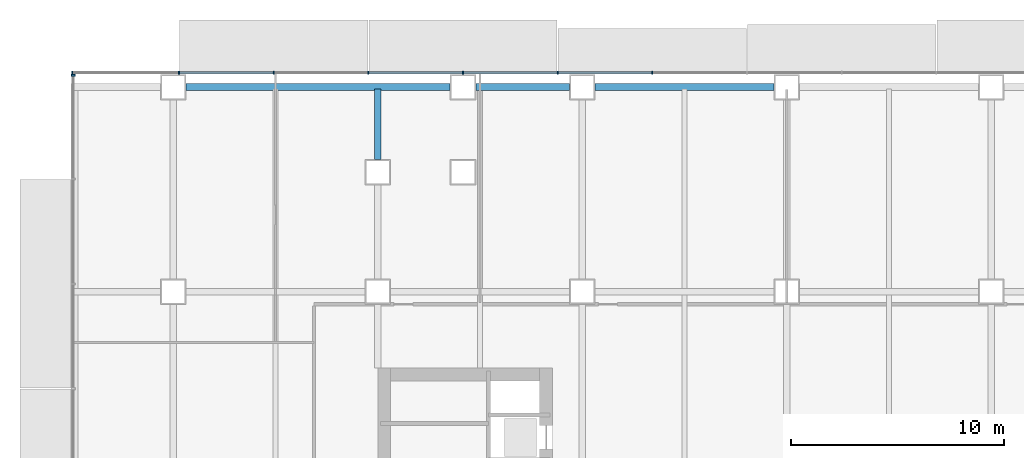
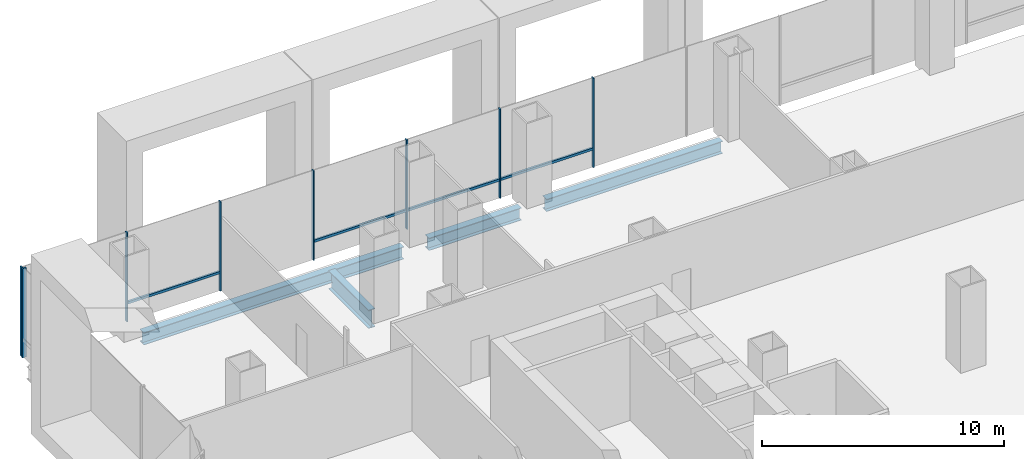
# One storey, part 7 of 23: 12 members, 4 beams, 2 elements without a shape of their own.
"""IFC4 building model written with IfcOpenShell, lengths in metres."""

from ifc_helpers import new_model, si_unit, direction, frame, origin, origin_2d, place, context, subcontext, project, spatial, rectangle, i_section, extrude, material, material_profile, profile_set, type_object, element, aggregate, save


model = new_model("IFC4")

# Units and contexts
model_context = context("Model", 3, precision=1e-05, world=origin(), true_north=direction((0.0, 1.0)))
body_context = subcontext(model_context, "Body", "Model", "MODEL_VIEW")
ifc_project = project(units=[si_unit("LENGTHUNIT", "METRE"), si_unit("AREAUNIT", "SQUARE_METRE"), si_unit("VOLUMEUNIT", "CUBIC_METRE"), si_unit("PLANEANGLEUNIT", "RADIAN"), si_unit("MASSUNIT", "GRAM", prefix="KILO")], contexts=[model_context])

# Site, building, storey
site_placement = place(None, origin())
site = spatial("IfcSite", under=ifc_project, at=site_placement, CompositionType="ELEMENT")
building_placement = place(site_placement, origin())
building = spatial("IfcBuilding", under=site, at=building_placement, Name="Cobrizo Arcos Hotel Tower", CompositionType="ELEMENT")
storey_placement = place(building_placement, frame((0.0, 0.0, 24.5)))
storey = spatial("IfcBuildingStorey", under=building, at=storey_placement, Name="L04", CompositionType="ELEMENT", Elevation=24.5)

# Curtain wall, members
ifc_material_1 = material(Name="Aluminium 6063-T6 anodised bronze", Category="aluminium")
curtain_wall_type_1 = type_object("IfcCurtainWallType", Name="CW-A guest facade", PredefinedType="NOTDEFINED", material=ifc_material_1)
curtain_wall_1_placement = place(storey_placement, origin())
curtain_wall_1 = element("IfcCurtainWall", 1, at=curtain_wall_1_placement, inside=storey, type_object=curtain_wall_type_1, Name="CW-A L04 N face", PredefinedType="NOTDEFINED")
ifc_material_profile_1 = material_profile(ifc_material_1, rectangle(XDim=0.14990234375, YDim=0.06005859375, at=origin_2d()), Name="CW-A mullion 150x60")
ifc_profile_set_1 = profile_set([ifc_material_profile_1], Name="Aluminium 6063-T6 anodised bronze")
member_type_1 = type_object("IfcMemberType", Name="CW-A mullion 150x60", PredefinedType="MULLION", material=ifc_profile_set_1)
member_1_placement = place(storey_placement, frame((-11.111083984375, 24.675048828125, 0.0), z_axis=(0.0, 0.0, 1.0), x_axis=(0.0, 1.0, 0.0)))
member_1 = element("IfcMember", 2, at=member_1_placement, type_object=member_type_1, Name="CW-A mullion 12", PredefinedType="MULLION", context=body_context, shape_type="SweptSolid", body=[
    extrude(rectangle(XDim=0.14990234375, YDim=0.06005859375, at=origin_2d()), origin(), (0.0, 0.0, 1.0), 4.5),
])
member_2_placement = place(storey_placement, frame((-15.5556640625, 24.675048828125, 0.0), z_axis=(0.0, 0.0, 1.0), x_axis=(0.0, 1.0, 0.0)))
member_2 = element("IfcMember", 3, at=member_2_placement, type_object=member_type_1, Name="CW-A mullion 13", PredefinedType="MULLION", context=body_context, shape_type="SweptSolid", body=[
    extrude(rectangle(XDim=0.14990234375, YDim=0.06005859375, at=origin_2d()), origin(), (0.0, 0.0, 1.0), 4.5),
])
member_3_placement = place(storey_placement, frame((-20.0, 24.675048828125, 0.0), z_axis=(0.0, 0.0, 1.0), x_axis=(0.0, 1.0, 0.0)))
member_3 = element("IfcMember", 4, at=member_3_placement, type_object=member_type_1, Name="CW-A mullion 14", PredefinedType="MULLION", context=body_context, shape_type="SweptSolid", body=[
    extrude(rectangle(XDim=0.14990234375, YDim=0.06005859375, at=origin_2d()), origin(), (0.0, 0.0, 1.0), 4.5),
])
member_4_placement = place(storey_placement, frame((-24.4443359375, 24.675048828125, 0.0), z_axis=(0.0, 0.0, 1.0), x_axis=(0.0, 1.0, 0.0)))
member_4 = element("IfcMember", 5, at=member_4_placement, type_object=member_type_1, Name="CW-A mullion 15", PredefinedType="MULLION", context=body_context, shape_type="SweptSolid", body=[
    extrude(rectangle(XDim=0.14990234375, YDim=0.06005859375, at=origin_2d()), origin(), (0.0, 0.0, 1.0), 4.5),
])
member_5_placement = place(storey_placement, frame((-28.888916015625, 24.675048828125, 0.0), z_axis=(0.0, 0.0, 1.0), x_axis=(0.0, 1.0, 0.0)))
member_5 = element("IfcMember", 6, at=member_5_placement, type_object=member_type_1, Name="CW-A mullion 16", PredefinedType="MULLION", context=body_context, shape_type="SweptSolid", body=[
    extrude(rectangle(XDim=0.14990234375, YDim=0.06005859375, at=origin_2d()), origin(), (0.0, 0.0, 1.0), 4.5),
])
member_6_placement = place(storey_placement, frame((-33.333251953125, 24.675048828125, 0.0), z_axis=(0.0, 0.0, 1.0), x_axis=(0.0, 1.0, 0.0)))
member_6 = element("IfcMember", 7, at=member_6_placement, type_object=member_type_1, Name="CW-A mullion 17", PredefinedType="MULLION", context=body_context, shape_type="SweptSolid", body=[
    extrude(rectangle(XDim=0.14990234375, YDim=0.06005859375, at=origin_2d()), origin(), (0.0, 0.0, 1.0), 4.5),
])
member_7_placement = place(storey_placement, frame((-38.344970703125, 24.675048828125, 0.0), z_axis=(0.0, 0.0, 1.0), x_axis=(0.0, 1.0, 0.0)))
member_7 = element("IfcMember", 8, at=member_7_placement, type_object=member_type_1, Name="CW-A mullion 18", PredefinedType="MULLION", context=body_context, shape_type="SweptSolid", body=[
    extrude(rectangle(XDim=0.14990234375, YDim=0.06005859375, at=origin_2d()), origin(), (0.0, 0.0, 1.0), 4.5),
])
ifc_material_profile_2 = material_profile(ifc_material_1, rectangle(XDim=0.10009765625, YDim=0.1201171875, at=origin_2d()), Name="CW-A transom 120x100")
ifc_profile_set_2 = profile_set([ifc_material_profile_2], Name="Aluminium 6063-T6 anodised bronze")
member_type_2 = type_object("IfcMemberType", Name="CW-A transom 120x100", PredefinedType="USERDEFINED", material=ifc_profile_set_2)
member_8_placement = place(storey_placement, frame((-11.14111328125, 24.675048828125, 0.929931640625), z_axis=(-1.0, 0.0, 0.0), x_axis=(0.0, -1.0, 0.0)))
member_8 = element("IfcMember", 9, at=member_8_placement, type_object=member_type_2, Name="CW-A transom 236", ObjectType="TRANSOM", PredefinedType="USERDEFINED", context=body_context, shape_type="SweptSolid", body=[
    extrude(rectangle(XDim=0.10009765625, YDim=0.1201171875, at=origin_2d()), origin(), (0.0, 0.0, 1.0), 4.384521484375),
])
member_9_placement = place(storey_placement, frame((-15.58544921875, 24.675048828125, 0.929931640625), z_axis=(-1.0, 0.0, 0.0), x_axis=(0.0, -1.0, 0.0)))
member_9 = element("IfcMember", 10, at=member_9_placement, type_object=member_type_2, Name="CW-A transom 237", ObjectType="TRANSOM", PredefinedType="USERDEFINED", context=body_context, shape_type="SweptSolid", body=[
    extrude(rectangle(XDim=0.10009765625, YDim=0.1201171875, at=origin_2d()), origin(), (0.0, 0.0, 1.0), 4.384521484375),
])
member_10_placement = place(storey_placement, frame((-20.030029296875, 24.675048828125, 0.929931640625), z_axis=(-1.0, 0.0, 0.0), x_axis=(0.0, -1.0, 0.0)))
member_10 = element("IfcMember", 11, at=member_10_placement, type_object=member_type_2, Name="CW-A transom 238", ObjectType="TRANSOM", PredefinedType="USERDEFINED", context=body_context, shape_type="SweptSolid", body=[
    extrude(rectangle(XDim=0.10009765625, YDim=0.1201171875, at=origin_2d()), origin(), (0.0, 0.0, 1.0), 4.384521484375),
])
member_11_placement = place(storey_placement, frame((-28.9189453125, 24.675048828125, 0.929931640625), z_axis=(-1.0, 0.0, 0.0), x_axis=(0.0, -1.0, 0.0)))
member_11 = element("IfcMember", 12, at=member_11_placement, type_object=member_type_2, Name="CW-A transom 240", ObjectType="TRANSOM", PredefinedType="USERDEFINED", context=body_context, shape_type="SweptSolid", body=[
    extrude(rectangle(XDim=0.10009765625, YDim=0.1201171875, at=origin_2d()), origin(), (0.0, 0.0, 1.0), 4.38427734375),
])
aggregate(curtain_wall_1, [member_1, member_2, member_3, member_4, member_5, member_6, member_7, member_8, member_9, member_10, member_11])

# Curtain wall, member
curtain_wall_type_2 = type_object("IfcCurtainWallType", Name="CW-B podium glazing", PredefinedType="NOTDEFINED", material=ifc_material_1)
curtain_wall_2_placement = place(storey_placement, origin())
curtain_wall_2 = element("IfcCurtainWall", 13, at=curtain_wall_2_placement, inside=storey, type_object=curtain_wall_type_2, Name="CW-B L04 W face", PredefinedType="NOTDEFINED")
ifc_material_profile_3 = material_profile(ifc_material_1, rectangle(XDim=0.199951171875, YDim=0.080078125, at=origin_2d()), Name="CW-B mullion 200x80")
ifc_profile_set_3 = profile_set([ifc_material_profile_3], Name="Aluminium 6063-T6 anodised bronze")
member_type_3 = type_object("IfcMemberType", Name="CW-B mullion 200x80", PredefinedType="MULLION", material=ifc_profile_set_3)
member_12_placement = place(storey_placement, frame((-38.300048828125, 24.56005859375, 0.0), z_axis=(0.0, 0.0, 1.0), x_axis=(-1.0, 0.0, 0.0)))
member_12 = element("IfcMember", 14, at=member_12_placement, type_object=member_type_3, Name="CW-B mullion 1", PredefinedType="MULLION", context=body_context, shape_type="SweptSolid", body=[
    extrude(rectangle(XDim=0.199951171875, YDim=0.080078125, at=origin_2d()), origin(), (0.0, 0.0, 1.0), 4.5),
])
aggregate(curtain_wall_2, [member_12])

# Beams
ifc_material_2 = material(Name="Steel ASTM A992 Grade 50", Category="steel")
ifc_material_profile_4 = material_profile(ifc_material_2, i_section(OverallWidth=0.32763671875, OverallDepth=0.622314453125, WebThickness=0.015380859375, FlangeThickness=0.0244140625, at=origin_2d()), Name="W24X131")
ifc_profile_set_4 = profile_set([ifc_material_profile_4], Name="Steel ASTM A992 Grade 50")
beam_type_1 = type_object("IfcBeamType", Name="W24X131 spandrel", PredefinedType="SPANDREL", material=ifc_profile_set_4)
beam_1_placement = place(storey_placement, frame((-5.39990234375, 24.0, -0.51123046875), z_axis=(-1.0, 0.0, 0.0), x_axis=(0.0, -1.0, 0.0)))
element("IfcBeam", 15, at=beam_1_placement, inside=storey, type_object=beam_type_1, Name="Spandrel beam W24X131, L04, no. 005", PredefinedType="SPANDREL", context=body_context, shape_type="SweptSolid", body=[
    extrude(i_section(OverallWidth=0.32763671875, OverallDepth=0.622314453125, WebThickness=0.015380859375, FlangeThickness=0.0244140625, at=origin_2d()), origin(), (0.0, 0.0, 1.0), 8.400146484375),
])
beam_2_placement = place(storey_placement, frame((-15.0, 24.0, -0.51123046875), z_axis=(-1.0, 0.0, 0.0), x_axis=(0.0, -1.0, 0.0)))
element("IfcBeam", 16, at=beam_2_placement, inside=storey, type_object=beam_type_1, Name="Spandrel beam W24X131, L04, no. 006", PredefinedType="SPANDREL", context=body_context, shape_type="SweptSolid", body=[
    extrude(i_section(OverallWidth=0.32763671875, OverallDepth=0.622314453125, WebThickness=0.015380859375, FlangeThickness=0.0244140625, at=origin_2d()), origin(), (0.0, 0.0, 1.0), 4.39990234375),
])
beam_3_placement = place(storey_placement, frame((-20.60009765625, 24.0, -0.51123046875), z_axis=(-1.0, 0.0, 0.0), x_axis=(0.0, -1.0, 0.0)))
element("IfcBeam", 17, at=beam_3_placement, inside=storey, type_object=beam_type_1, Name="Spandrel beam W24X131, L04, no. 007", PredefinedType="SPANDREL", context=body_context, shape_type="SweptSolid", body=[
    extrude(i_section(OverallWidth=0.32763671875, OverallDepth=0.622314453125, WebThickness=0.015380859375, FlangeThickness=0.0244140625, at=origin_2d()), origin(), (0.0, 0.0, 1.0), 12.39990234375),
])
ifc_material_profile_5 = material_profile(ifc_material_2, i_section(OverallWidth=0.307373046875, OverallDepth=0.927001953125, WebThickness=0.01953125, FlangeThickness=0.031982421875, at=origin_2d()), Name="W36X194")
ifc_profile_set_5 = profile_set([ifc_material_profile_5], Name="Steel ASTM A992 Grade 50")
beam_type_2 = type_object("IfcBeamType", Name="W36X194 podium girder", PredefinedType="BEAM", material=ifc_profile_set_5)
beam_4_placement = place(storey_placement, frame((-24.0, 20.60009765625, -0.66357421875), z_axis=(0.0, 1.0, 0.0), x_axis=(-1.0, 0.0, 0.0)))
element("IfcBeam", 18, at=beam_4_placement, inside=storey, type_object=beam_type_2, Name="Podium girder PG1, L04, no. 045", PredefinedType="BEAM", context=body_context, shape_type="SweptSolid", body=[
    extrude(i_section(OverallWidth=0.307373046875, OverallDepth=0.927001953125, WebThickness=0.01953125, FlangeThickness=0.031982421875, at=origin_2d()), origin(), (0.0, 0.0, 1.0), 3.309814453125),
])

save(model, "model.ifc")
